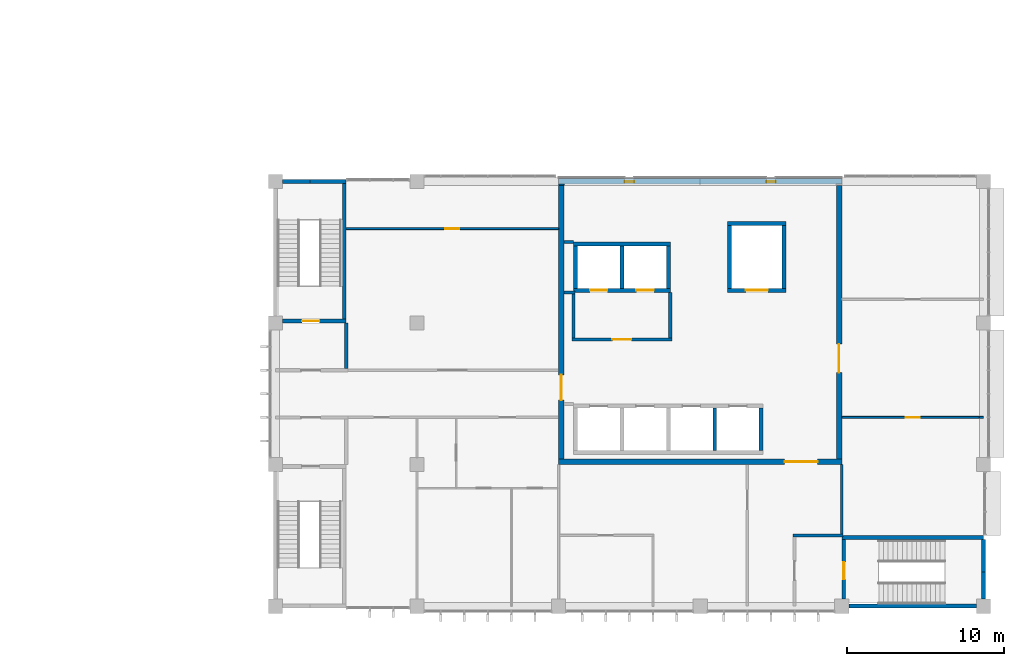
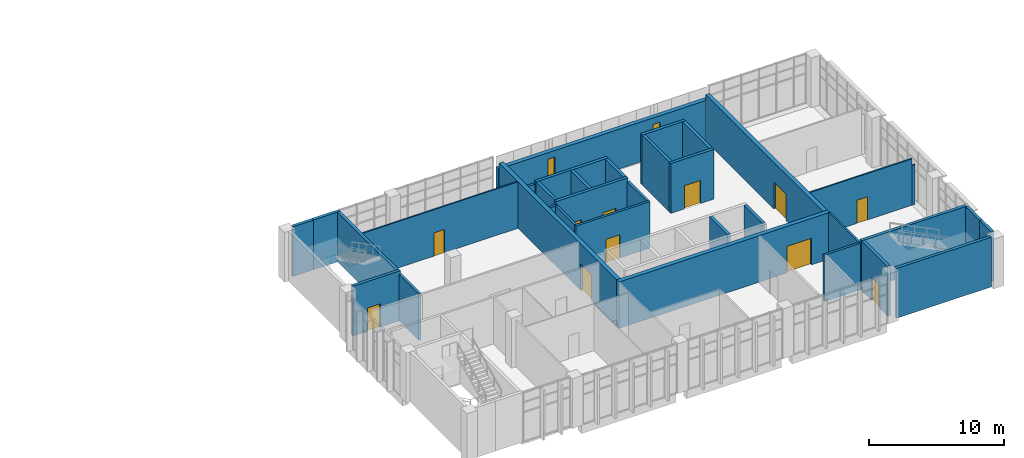
# One storey, part 32 of 45: 36 walls, 11 doors, 2 windows, 13 openings.
"""IFC4 building model written with IfcOpenShell, lengths in metres."""

from ifc_helpers import new_model, si_unit, direction, frame, frame_2d, origin, place, context, subcontext, project, spatial, rectangle, extrude, material, layer, layer_set, type_object, element, fill, save


model = new_model("IFC4")

# Units and contexts
model_context = context("Model", 3, precision=1e-05, world=origin(), true_north=direction((0.0, 1.0)))
body_context = subcontext(model_context, "Body", "Model", "MODEL_VIEW")
ifc_project = project(units=[si_unit("LENGTHUNIT", "METRE"), si_unit("AREAUNIT", "SQUARE_METRE"), si_unit("VOLUMEUNIT", "CUBIC_METRE"), si_unit("PLANEANGLEUNIT", "RADIAN"), si_unit("MASSUNIT", "GRAM", prefix="KILO")], contexts=[model_context])

# Site, building, storey
site_placement = place(None, origin())
site = spatial("IfcSite", under=ifc_project, at=site_placement, CompositionType="ELEMENT")
building_placement = place(site_placement, origin())
building = spatial("IfcBuilding", under=site, at=building_placement, Name="Guidao Yard Department Store", CompositionType="ELEMENT")
storey_placement = place(building_placement, frame((0.0, 0.0, 19.5)))
storey = spatial("IfcBuildingStorey", under=building, at=storey_placement, Name="L04", CompositionType="ELEMENT", Elevation=19.5)

# Wall
ifc_material_1 = material(Name="Gypsum Board")
ifc_layer_1 = layer(ifc_material_1, 0.14990234375)
ifc_layer_set_1 = layer_set([ifc_layer_1], Name="Corridor Partition 150 Gypsum Board EI 60")
wall_type_1 = type_object("IfcWallType", Name="Corridor Partition 150 Gypsum Board EI 60", PredefinedType="PARTITIONING", material=ifc_layer_set_1)
wall_1_placement = place(storey_placement, frame((162.0, 4.60009765625, 0.0), z_axis=(0.0, 0.0, 1.0), x_axis=(0.0, 1.0, 0.0)))
element("IfcWall", 1, at=wall_1_placement, inside=storey, type_object=wall_type_1, Name="pt.wall.L04.0030", PredefinedType="PARTITIONING", context=body_context, shape_type="SweptSolid", body=[
    extrude(rectangle(XDim=4.39990234375, YDim=0.14990234375, at=frame_2d((2.199951171875, 0.0))), origin(), (0.0, 0.0, 1.0), 4.199951171875),
])

# Wall, openings, windows
ifc_material_2 = material(Name="Concrete C40", Category="concrete")
ifc_layer_2 = layer(ifc_material_2, 0.35009765625)
ifc_layer_set_2 = layer_set([ifc_layer_2], Name="Office core face wall 350 C40")
wall_type_2 = type_object("IfcWallType", Name="Office core face wall 350 C40", PredefinedType="SOLIDWALL", material=ifc_layer_set_2)
wall_2_placement = place(storey_placement, frame((144.0, 27.0, 0.0), z_axis=(0.0, 0.0, 1.0), x_axis=(1.0, 0.0, 0.0)))
wall_2 = element("IfcWall", 2, at=wall_2_placement, inside=storey, type_object=wall_type_2, Name="Office north face wall", PredefinedType="SOLIDWALL", context=body_context, shape_type="SweptSolid", body=[
    extrude(rectangle(XDim=18.0, YDim=0.35009765625, at=frame_2d((9.0, 0.0))), origin(), (0.0, 0.0, 1.0), 3.60009765625),
])
opening_1_placement = place(wall_2_placement, frame((4.199951171875, 0.0, 0.60009765625)))
opening_1 = element("IfcOpeningElement", 3, at=opening_1_placement, cuts=wall_2, Name="Opening WN-L04-E27", PredefinedType="OPENING", context=body_context, shape_type="SweptSolid", body=[
    extrude(rectangle(XDim=0.60009765625, YDim=2.39990234375, at=frame_2d((0.300048828125, 1.199951171875))), frame((0.0, 0.18505859375, 0.0), z_axis=(0.0, -1.0, 0.0), x_axis=(1.0, 0.0, 0.0)), (0.0, 0.0, 1.0), 0.3701171875),
])
opening_2_placement = place(wall_2_placement, frame((13.199951171875, 0.0, 0.60009765625)))
opening_2 = element("IfcOpeningElement", 4, at=opening_2_placement, cuts=wall_2, Name="Opening WN-L04-E28", PredefinedType="OPENING", context=body_context, shape_type="SweptSolid", body=[
    extrude(rectangle(XDim=0.60009765625, YDim=2.39990234375, at=frame_2d((0.300048828125, 1.199951171875))), frame((0.0, 0.18505859375, 0.0), z_axis=(0.0, -1.0, 0.0), x_axis=(1.0, 0.0, 0.0)), (0.0, 0.0, 1.0), 0.3701171875),
])
ifc_material_3 = material(Name="Laminated glass in aluminium frame", Category="aluminium")
window_type = type_object("IfcWindowType", Name="Lobby window LW1 600 x 2400 fixed", PartitioningType="SINGLE_PANEL", PredefinedType="WINDOW", material=ifc_material_3)
window_1_placement = place(opening_1_placement, origin())
window_1 = element("IfcWindow", 5, at=window_1_placement, inside=storey, type_object=window_type, Name="Lift lobby window", OverallHeight=2.39990234375, OverallWidth=0.60009765625, PartitioningType="SINGLE_PANEL", PredefinedType="WINDOW", context=body_context, shape_type="SweptSolid", body=[
    extrude(rectangle(XDim=0.60009765625, YDim=2.39990234375, at=frame_2d((0.300048828125, 1.199951171875))), frame((0.0, -0.0048828125, 0.0), z_axis=(0.0, -1.0, 0.0), x_axis=(1.0, 0.0, 0.0)), (0.0, 0.0, 1.0), 0.06005859375),
])
fill(opening_1, window_1)
window_2_placement = place(opening_2_placement, origin())
window_2 = element("IfcWindow", 6, at=window_2_placement, inside=storey, type_object=window_type, Name="Lift lobby window", OverallHeight=2.39990234375, OverallWidth=0.60009765625, PartitioningType="SINGLE_PANEL", PredefinedType="WINDOW", context=body_context, shape_type="SweptSolid", body=[
    extrude(rectangle(XDim=0.60009765625, YDim=2.39990234375, at=frame_2d((0.300048828125, 1.199951171875))), frame((0.0, -0.0048828125, 0.0), z_axis=(0.0, -1.0, 0.0), x_axis=(1.0, 0.0, 0.0)), (0.0, 0.0, 1.0), 0.06005859375),
])
fill(opening_2, window_2)

# Wall, opening, door
ifc_material_4 = material(Name="Gypsum Board")
ifc_layer_3 = layer(ifc_material_4, 0.1201171875)
ifc_layer_set_3 = layer_set([ifc_layer_3], Name="Partition 120 Gypsum Board EI 45")
wall_type_3 = type_object("IfcWallType", Name="Partition 120 Gypsum Board EI 45", PredefinedType="PARTITIONING", material=ifc_layer_set_3)
wall_3_placement = place(storey_placement, frame((162.0, 12.0, 0.0), z_axis=(0.0, 0.0, 1.0), x_axis=(1.0, 0.0, 0.0)))
wall_3 = element("IfcWall", 7, at=wall_3_placement, inside=storey, type_object=wall_type_3, Name="pt.wall.L04.0007", PredefinedType="PARTITIONING", context=body_context, shape_type="SweptSolid", body=[
    extrude(rectangle(XDim=8.75, YDim=0.1201171875, at=frame_2d((4.375, 0.0))), origin(), (0.0, 0.0, 1.0), 4.199951171875),
])
opening_3_placement = place(wall_3_placement, frame((4.050048828125, 0.0, 0.0)))
opening_3 = element("IfcOpeningElement", 8, at=opening_3_placement, cuts=wall_3, Name="Opening L04-416", PredefinedType="OPENING", context=body_context, shape_type="SweptSolid", body=[
    extrude(rectangle(XDim=0.89990234375, YDim=2.10009765625, at=frame_2d((0.449951171875, 1.050048828125))), frame((0.0, 0.070068359375, 0.0), z_axis=(0.0, -1.0, 0.0), x_axis=(1.0, 0.0, 0.0)), (0.0, 0.0, 1.0), 0.14013671875),
])
ifc_material_5 = material(Name="Timber door leaf with Steel Q235 frame", Category="steel")
door_type_1 = type_object("IfcDoorType", Name="Door 900 x 2100 NOT RATED Single Leaf", OperationType="SINGLE_SWING_LEFT", PredefinedType="DOOR", material=ifc_material_5)
door_1_placement = place(opening_3_placement, origin())
door_1 = element("IfcDoor", 9, at=door_1_placement, inside=storey, type_object=door_type_1, Name="Door L04-416", OperationType="SINGLE_SWING_RIGHT", OverallHeight=2.10009765625, OverallWidth=0.89990234375, PredefinedType="DOOR", context=body_context, shape_type="SweptSolid", body=[
    extrude(rectangle(XDim=0.89990234375, YDim=2.10009765625, at=frame_2d((0.449951171875, 1.050048828125))), frame((0.0, 0.02490234375, 0.0), z_axis=(0.0, -1.0, 0.0), x_axis=(1.0, 0.0, 0.0)), (0.0, 0.0, 1.0), 0.050048828125),
])
fill(opening_3, door_1)

# Wall
wall_4_placement = place(storey_placement, frame((170.75, 12.0, 0.0), z_axis=(0.0, 0.0, 1.0), x_axis=(1.0, 0.0, 0.0)))
element("IfcWall", 10, at=wall_4_placement, inside=storey, type_object=wall_type_3, Name="pt.wall.L04.0007a", PredefinedType="PARTITIONING", context=body_context, shape_type="SweptSolid", body=[
    extrude(rectangle(XDim=0.25, YDim=0.1201171875, at=frame_2d((0.125, 0.0))), origin(), (0.0, 0.0, 1.0), 3.60009765625),
])

# Wall, opening, door
wall_5_placement = place(storey_placement, frame((130.5, 24.0, 0.0), z_axis=(0.0, 0.0, 1.0), x_axis=(1.0, 0.0, 0.0)))
wall_5 = element("IfcWall", 11, at=wall_5_placement, inside=storey, type_object=wall_type_3, Name="pt.wall.L04.0015", PredefinedType="PARTITIONING", context=body_context, shape_type="SweptSolid", body=[
    extrude(rectangle(XDim=13.5, YDim=0.1201171875, at=frame_2d((6.75, 0.0))), origin(), (0.0, 0.0, 1.0), 4.199951171875),
])
opening_4_placement = place(wall_5_placement, frame((6.300048828125, 0.0, 0.0)))
opening_4 = element("IfcOpeningElement", 12, at=opening_4_placement, cuts=wall_5, Name="Opening L04-413", PredefinedType="OPENING", context=body_context, shape_type="SweptSolid", body=[
    extrude(rectangle(XDim=0.89990234375, YDim=2.10009765625, at=frame_2d((0.449951171875, 1.050048828125))), frame((0.0, 0.070068359375, 0.0), z_axis=(0.0, -1.0, 0.0), x_axis=(1.0, 0.0, 0.0)), (0.0, 0.0, 1.0), 0.14013671875),
])
door_2_placement = place(opening_4_placement, origin())
door_2 = element("IfcDoor", 13, at=door_2_placement, inside=storey, type_object=door_type_1, Name="Door L04-413", OperationType="SINGLE_SWING_LEFT", OverallHeight=2.10009765625, OverallWidth=0.89990234375, PredefinedType="DOOR", context=body_context, shape_type="SweptSolid", body=[
    extrude(rectangle(XDim=0.89990234375, YDim=2.10009765625, at=frame_2d((0.449951171875, 1.050048828125))), frame((0.0, 0.02490234375, 0.0), z_axis=(0.0, -1.0, 0.0), x_axis=(1.0, 0.0, 0.0)), (0.0, 0.0, 1.0), 0.050048828125),
])
fill(opening_4, door_2)

# Wall
ifc_material_6 = material(Name="Autoclaved aerated concrete block A3.5 B06", Category="concrete")
ifc_layer_4 = layer(ifc_material_6, 0.199951171875)
ifc_layer_set_4 = layer_set([ifc_layer_4], Name="Shaft Wall 200 Autoclaved Block EI 120")
wall_type_4 = type_object("IfcWallType", Name="Shaft Wall 200 Autoclaved Block EI 120", PredefinedType="PARTITIONING", material=ifc_layer_set_4)
wall_6_placement = place(storey_placement, frame((158.89990234375, 4.5, 0.0), z_axis=(0.0, 0.0, 1.0), x_axis=(1.0, 0.0, 0.0)))
element("IfcWall", 14, at=wall_6_placement, inside=storey, type_object=wall_type_4, Name="pt.wall.L04.0002", PredefinedType="PARTITIONING", context=body_context, shape_type="SweptSolid", body=[
    extrude(rectangle(XDim=3.175048828125, YDim=0.199951171875, at=frame_2d((1.58740234375, 0.0))), origin(), (0.0, 0.0, 1.0), 4.199951171875),
])

# Wall, opening, door
wall_7_placement = place(storey_placement, frame((144.85009765625, 16.949951171875, 0.0), z_axis=(0.0, 0.0, 1.0), x_axis=(1.0, 0.0, 0.0)))
wall_7 = element("IfcWall", 15, at=wall_7_placement, inside=storey, type_object=wall_type_4, Name="pt.wall.L04.0011", PredefinedType="PARTITIONING", context=body_context, shape_type="SweptSolid", body=[
    extrude(rectangle(XDim=6.349853515625, YDim=0.199951171875, at=frame_2d((3.1748046875, 0.0))), origin(), (0.0, 0.0, 1.0), 4.199951171875),
])
opening_5_placement = place(wall_7_placement, frame((2.574951171875, 0.0, 0.0)))
opening_5 = element("IfcOpeningElement", 16, at=opening_5_placement, cuts=wall_7, Name="Opening L04-400", PredefinedType="OPENING", context=body_context, shape_type="SweptSolid", body=[
    extrude(rectangle(XDim=1.199951171875, YDim=2.10009765625, at=frame_2d((0.60009765625, 1.050048828125))), frame((0.0, 0.10986328125, 0.0), z_axis=(0.0, -1.0, 0.0), x_axis=(1.0, 0.0, 0.0)), (0.0, 0.0, 1.0), 0.219970703125),
])
ifc_material_7 = material(Name="Timber door leaf with Steel Q235 frame", Category="steel")
door_type_2 = type_object("IfcDoorType", Name="Door 1200 x 2100 FD60 Single Leaf", OperationType="SINGLE_SWING_LEFT", PredefinedType="DOOR", material=ifc_material_7)
door_3_placement = place(opening_5_placement, origin())
door_3 = element("IfcDoor", 17, at=door_3_placement, inside=storey, type_object=door_type_2, Name="Door L04-400", OperationType="SINGLE_SWING_RIGHT", OverallHeight=2.10009765625, OverallWidth=1.199951171875, PredefinedType="DOOR", context=body_context, shape_type="SweptSolid", body=[
    extrude(rectangle(XDim=1.199951171875, YDim=2.10009765625, at=frame_2d((0.60009765625, 1.050048828125))), frame((0.0, 0.02490234375, 0.0), z_axis=(0.0, -1.0, 0.0), x_axis=(1.0, 0.0, 0.0)), (0.0, 0.0, 1.0), 0.050048828125),
])
fill(opening_5, door_3)

# Walls
wall_8_placement = place(storey_placement, frame((144.35009765625, 19.949951171875, 0.0), z_axis=(0.0, 0.0, 1.0), x_axis=(1.0, 0.0, 0.0)))
element("IfcWall", 18, at=wall_8_placement, inside=storey, type_object=wall_type_4, Name="pt.wall.L04.0013", PredefinedType="PARTITIONING", context=body_context, shape_type="SweptSolid", body=[
    extrude(rectangle(XDim=0.699951171875, YDim=0.199951171875, at=frame_2d((0.35009765625, 0.0))), origin(), (0.0, 0.0, 1.0), 4.199951171875),
])
wall_9_placement = place(storey_placement, frame((144.35009765625, 23.14990234375, 0.0), z_axis=(0.0, 0.0, 1.0), x_axis=(1.0, 0.0, 0.0)))
element("IfcWall", 19, at=wall_9_placement, inside=storey, type_object=wall_type_4, Name="pt.wall.L04.0014", PredefinedType="PARTITIONING", context=body_context, shape_type="SweptSolid", body=[
    extrude(rectangle(XDim=0.599853515625, YDim=0.199951171875, at=frame_2d((0.2998046875, 0.0))), origin(), (0.0, 0.0, 1.0), 4.199951171875),
])
wall_10_placement = place(storey_placement, frame((130.5, 15.10009765625, 0.0), z_axis=(0.0, 0.0, 1.0), x_axis=(0.0, 1.0, 0.0)))
element("IfcWall", 20, at=wall_10_placement, inside=storey, type_object=wall_type_4, Name="pt.wall.L04.0017", PredefinedType="PARTITIONING", context=body_context, shape_type="SweptSolid", body=[
    extrude(rectangle(XDim=2.89990234375, YDim=0.199951171875, at=frame_2d((1.449951171875, 0.0))), origin(), (0.0, 0.0, 1.0), 4.199951171875),
])
wall_11_placement = place(storey_placement, frame((144.949951171875, 17.050048828125, 0.0), z_axis=(0.0, 0.0, 1.0), x_axis=(0.0, 1.0, 0.0)))
element("IfcWall", 21, at=wall_11_placement, inside=storey, type_object=wall_type_4, Name="pt.wall.L04.0024", PredefinedType="PARTITIONING", context=body_context, shape_type="SweptSolid", body=[
    extrude(rectangle(XDim=2.800048828125, YDim=0.199951171875, at=frame_2d((1.39990234375, 0.0))), origin(), (0.0, 0.0, 1.0), 4.199951171875),
])
wall_12_placement = place(storey_placement, frame((151.10009765625, 17.050048828125, 0.0), z_axis=(0.0, 0.0, 1.0), x_axis=(0.0, 1.0, 0.0)))
element("IfcWall", 22, at=wall_12_placement, inside=storey, type_object=wall_type_4, Name="pt.wall.L04.0026", PredefinedType="PARTITIONING", context=body_context, shape_type="SweptSolid", body=[
    extrude(rectangle(XDim=2.89990234375, YDim=0.199951171875, at=frame_2d((1.449951171875, 0.0))), origin(), (0.0, 0.0, 1.0), 4.199951171875),
])

# Wall, opening, door
ifc_material_8 = material(Name="Concrete C50", Category="concrete")
ifc_layer_5 = layer(ifc_material_8, 0.35009765625)
ifc_layer_set_5 = layer_set([ifc_layer_5], Name="Shear Wall 350 Concrete C50")
wall_type_5 = type_object("IfcWallType", Name="Shear Wall 350 Concrete C50", PredefinedType="SHEAR", material=ifc_layer_set_5)
wall_13_placement = place(storey_placement, frame((144.0, 9.175048828125, 0.0), z_axis=(0.0, 0.0, 1.0), x_axis=(1.0, 0.0, 0.0)))
wall_13 = element("IfcWall", 23, at=wall_13_placement, inside=storey, type_object=wall_type_5, Name="pt.wall.L04.0004", PredefinedType="SHEAR", context=body_context, shape_type="SweptSolid", body=[
    extrude(rectangle(XDim=18.0, YDim=0.35009765625, at=frame_2d((9.0, 0.0))), origin(), (0.0, 0.0, 1.0), 4.199951171875),
])
opening_6_placement = place(wall_13_placement, frame((16.462646484375, 0.0, 0.0), z_axis=(0.0, 0.0, 1.0), x_axis=(-1.0, 0.0, 0.0)))
opening_6 = element("IfcOpeningElement", 24, at=opening_6_placement, cuts=wall_13, Name="Opening L04-406", PredefinedType="OPENING", context=body_context, shape_type="SweptSolid", body=[
    extrude(rectangle(XDim=2.10009765625, YDim=2.39990234375, at=frame_2d((1.050048828125, 1.199951171875))), frame((0.0, 0.18505859375, 0.0), z_axis=(0.0, -1.0, 0.0), x_axis=(1.0, 0.0, 0.0)), (0.0, 0.0, 1.0), 0.3701171875),
])
ifc_material_9 = material(Name="Timber door leaf with Steel Q235 frame", Category="steel")
door_type_3 = type_object("IfcDoorType", Name="Door 2100 x 2400 FD60 Double Leaf", OperationType="DOUBLE_DOOR_SINGLE_SWING", PredefinedType="DOOR", material=ifc_material_9)
door_4_placement = place(opening_6_placement, origin())
door_4 = element("IfcDoor", 25, at=door_4_placement, inside=storey, type_object=door_type_3, Name="Door L04-406", OperationType="DOUBLE_DOOR_SINGLE_SWING", OverallHeight=2.39990234375, OverallWidth=2.10009765625, PredefinedType="DOOR", context=body_context, shape_type="SweptSolid", body=[
    extrude(rectangle(XDim=2.10009765625, YDim=2.39990234375, at=frame_2d((1.050048828125, 1.199951171875))), frame((0.0, 0.02490234375, 0.0), z_axis=(0.0, -1.0, 0.0), x_axis=(1.0, 0.0, 0.0)), (0.0, 0.0, 1.0), 0.050048828125),
])
fill(opening_6, door_4)

wall_14_placement = place(storey_placement, frame((144.175048828125, 9.35009765625, 0.0), z_axis=(0.0, 0.0, 1.0), x_axis=(0.0, 1.0, 0.0)))
wall_14 = element("IfcWall", 26, at=wall_14_placement, inside=storey, type_object=wall_type_5, Name="pt.wall.L04.0023", PredefinedType="SHEAR", context=body_context, shape_type="SweptSolid", body=[
    extrude(rectangle(XDim=17.39990234375, YDim=0.35009765625, at=frame_2d((8.699951171875, 0.0))), origin(), (0.0, 0.0, 1.0), 4.199951171875),
])
opening_7_placement = place(wall_14_placement, frame((3.75, 0.0, 0.0)))
opening_7 = element("IfcOpeningElement", 27, at=opening_7_placement, cuts=wall_14, Name="Opening L04-404", PredefinedType="OPENING", context=body_context, shape_type="SweptSolid", body=[
    extrude(rectangle(XDim=1.60009765625, YDim=2.39990234375, at=frame_2d((0.800048828125, 1.199951171875))), frame((0.0, 0.18505859375, 0.0), z_axis=(0.0, -1.0, 0.0), x_axis=(1.0, 0.0, 0.0)), (0.0, 0.0, 1.0), 0.3701171875),
])
ifc_material_10 = material(Name="Timber door leaf with Steel Q235 frame", Category="steel")
door_type_4 = type_object("IfcDoorType", Name="Door 1600 x 2400 FD60 Double Leaf", OperationType="DOUBLE_DOOR_SINGLE_SWING", PredefinedType="DOOR", material=ifc_material_10)
door_5_placement = place(opening_7_placement, origin())
door_5 = element("IfcDoor", 28, at=door_5_placement, inside=storey, type_object=door_type_4, Name="Door L04-404", OperationType="DOUBLE_DOOR_SINGLE_SWING", OverallHeight=2.39990234375, OverallWidth=1.60009765625, PredefinedType="DOOR", context=body_context, shape_type="SweptSolid", body=[
    extrude(rectangle(XDim=1.60009765625, YDim=2.39990234375, at=frame_2d((0.800048828125, 1.199951171875))), frame((0.0, 0.02490234375, 0.0), z_axis=(0.0, -1.0, 0.0), x_axis=(1.0, 0.0, 0.0)), (0.0, 0.0, 1.0), 0.050048828125),
])
fill(opening_7, door_5)

# Wall
wall_15_placement = place(storey_placement, frame((144.175048828125, 26.75, 0.0), z_axis=(0.0, 0.0, 1.0), x_axis=(0.0, 1.0, 0.0)))
element("IfcWall", 29, at=wall_15_placement, inside=storey, type_object=wall_type_5, Name="pt.wall.L04.0023a", PredefinedType="SHEAR", context=body_context, shape_type="SweptSolid", body=[
    extrude(rectangle(XDim=0.074951171875, YDim=0.35009765625, at=frame_2d((0.03759765625, 0.0))), origin(), (0.0, 0.0, 1.0), 3.60009765625),
])

# Wall, opening, door
wall_16_placement = place(storey_placement, frame((161.824951171875, 9.35009765625, 0.0), z_axis=(0.0, 0.0, 1.0), x_axis=(0.0, 1.0, 0.0)))
wall_16 = element("IfcWall", 30, at=wall_16_placement, inside=storey, type_object=wall_type_5, Name="pt.wall.L04.0029", PredefinedType="SHEAR", context=body_context, shape_type="SweptSolid", body=[
    extrude(rectangle(XDim=17.39990234375, YDim=0.35009765625, at=frame_2d((8.699951171875, 0.0))), origin(), (0.0, 0.0, 1.0), 4.199951171875),
])
opening_8_placement = place(wall_16_placement, frame((7.300048828125, 0.0, 0.0), z_axis=(0.0, 0.0, 1.0), x_axis=(-1.0, 0.0, 0.0)))
opening_8 = element("IfcOpeningElement", 31, at=opening_8_placement, cuts=wall_16, Name="Opening L04-405", PredefinedType="OPENING", context=body_context, shape_type="SweptSolid", body=[
    extrude(rectangle(XDim=1.800048828125, YDim=2.39990234375, at=frame_2d((0.89990234375, 1.199951171875))), frame((0.0, 0.18505859375, 0.0), z_axis=(0.0, -1.0, 0.0), x_axis=(1.0, 0.0, 0.0)), (0.0, 0.0, 1.0), 0.3701171875),
])
ifc_material_11 = material(Name="Timber door leaf with Steel Q235 frame", Category="steel")
door_type_5 = type_object("IfcDoorType", Name="Door 1800 x 2400 FD60 Double Leaf", OperationType="DOUBLE_DOOR_SINGLE_SWING", PredefinedType="DOOR", material=ifc_material_11)
door_6_placement = place(opening_8_placement, origin())
door_6 = element("IfcDoor", 32, at=door_6_placement, inside=storey, type_object=door_type_5, Name="Door L04-405", OperationType="DOUBLE_DOOR_SINGLE_SWING", OverallHeight=2.39990234375, OverallWidth=1.800048828125, PredefinedType="DOOR", context=body_context, shape_type="SweptSolid", body=[
    extrude(rectangle(XDim=1.800048828125, YDim=2.39990234375, at=frame_2d((0.89990234375, 1.199951171875))), frame((0.0, 0.02490234375, 0.0), z_axis=(0.0, -1.0, 0.0), x_axis=(1.0, 0.0, 0.0)), (0.0, 0.0, 1.0), 0.050048828125),
])
fill(opening_8, door_6)

# Walls
ifc_material_12 = material(Name="Concrete C40", Category="concrete")
ifc_layer_6 = layer(ifc_material_12, 0.25)
ifc_layer_set_6 = layer_set([ifc_layer_6], Name="Wall RC 250 C40 stair and shaft")
wall_type_6 = type_object("IfcWallType", Name="Wall RC 250 C40 stair and shaft", PredefinedType="SHEAR", material=ifc_layer_set_6)
wall_17_placement = place(storey_placement, frame((162.449951171875, 0.0, 0.0), z_axis=(0.0, 0.0, 1.0), x_axis=(1.0, 0.0, 0.0)))
element("IfcWall", 33, at=wall_17_placement, inside=storey, type_object=wall_type_6, Name="Stair wall SO2", PredefinedType="SHEAR", context=body_context, shape_type="SweptSolid", body=[
    extrude(rectangle(XDim=8.10009765625, YDim=0.25, at=frame_2d((4.050048828125, 0.0))), origin(), (0.0, 0.0, 1.0), 4.5),
])
wall_18_placement = place(storey_placement, frame((162.0, 4.375, 0.0), z_axis=(0.0, 0.0, 1.0), x_axis=(1.0, 0.0, 0.0)))
element("IfcWall", 34, at=wall_18_placement, inside=storey, type_object=wall_type_6, Name="Stair wall SO2", PredefinedType="SHEAR", context=body_context, shape_type="SweptSolid", body=[
    extrude(rectangle(XDim=9.0, YDim=0.25, at=frame_2d((4.5, 0.0))), origin(), (0.0, 0.0, 1.0), 4.5),
])

# Wall, opening, door
wall_19_placement = place(storey_placement, frame((162.125, 0.449951171875, 0.0), z_axis=(0.0, 0.0, 1.0), x_axis=(0.0, 1.0, 0.0)))
wall_19 = element("IfcWall", 35, at=wall_19_placement, inside=storey, type_object=wall_type_6, Name="Stair wall SO2", PredefinedType="SHEAR", context=body_context, shape_type="SweptSolid", body=[
    extrude(rectangle(XDim=3.800048828125, YDim=0.25, at=frame_2d((1.89990234375, 0.0))), origin(), (0.0, 0.0, 1.0), 4.5),
])
opening_9_placement = place(wall_19_placement, frame((2.35009765625, 0.0, 0.0), z_axis=(0.0, 0.0, 1.0), x_axis=(-1.0, 0.0, 0.0)))
opening_9 = element("IfcOpeningElement", 36, at=opening_9_placement, cuts=wall_19, Name="Opening L04-809", PredefinedType="OPENING", context=body_context, shape_type="SweptSolid", body=[
    extrude(rectangle(XDim=1.10009765625, YDim=2.10009765625, at=frame_2d((0.550048828125, 1.050048828125))), frame((0.0, 0.135009765625, 0.0), z_axis=(0.0, -1.0, 0.0), x_axis=(1.0, 0.0, 0.0)), (0.0, 0.0, 1.0), 0.27001953125),
])
ifc_material_13 = material(Name="Steel Q235", Category="steel")
door_type_6 = type_object("IfcDoorType", Name="Door fire-resisting 1100 x 2100 FD60", OperationType="SINGLE_SWING_LEFT", PredefinedType="DOOR", material=ifc_material_13)
door_7_placement = place(opening_9_placement, origin())
door_7 = element("IfcDoor", 37, at=door_7_placement, inside=storey, type_object=door_type_6, Name="Stair O2 door L04", OperationType="SINGLE_SWING_RIGHT", OverallHeight=2.10009765625, OverallWidth=1.10009765625, PredefinedType="DOOR", context=body_context, shape_type="SweptSolid", body=[
    extrude(rectangle(XDim=1.10009765625, YDim=2.10009765625, at=frame_2d((0.550048828125, 1.050048828125))), frame((0.0, 0.02490234375, 0.0), z_axis=(0.0, -1.0, 0.0), x_axis=(1.0, 0.0, 0.0)), (0.0, 0.0, 1.0), 0.050048828125),
])
fill(opening_9, door_7)

# Walls
wall_20_placement = place(storey_placement, frame((171.0, 0.449951171875, 0.0), z_axis=(0.0, 0.0, 1.0), x_axis=(0.0, 1.0, 0.0)))
element("IfcWall", 38, at=wall_20_placement, inside=storey, type_object=wall_type_6, Name="Stair wall SO2", PredefinedType="SHEAR", context=body_context, shape_type="SweptSolid", body=[
    extrude(rectangle(XDim=1.738037109375, YDim=0.25, at=frame_2d((0.869140625, 0.0))), origin(), (0.0, 0.0, 1.0), 4.5),
])
wall_21_placement = place(storey_placement, frame((171.0, 2.18798828125, 0.0), z_axis=(0.0, 0.0, 1.0), x_axis=(0.0, 1.0, 0.0)))
element("IfcWall", 39, at=wall_21_placement, inside=storey, type_object=wall_type_6, Name="Stair wall SO2", PredefinedType="SHEAR", context=body_context, shape_type="SweptSolid", body=[
    extrude(rectangle(XDim=2.06201171875, YDim=0.25, at=frame_2d((1.031005859375, 0.0))), origin(), (0.0, 0.0, 1.0), 4.5),
])

# Wall, opening, door
wall_22_placement = place(storey_placement, frame((126.449951171875, 18.125, 0.0), z_axis=(0.0, 0.0, 1.0), x_axis=(1.0, 0.0, 0.0)))
wall_22 = element("IfcWall", 40, at=wall_22_placement, inside=storey, type_object=wall_type_6, Name="Stair wall SO3", PredefinedType="SHEAR", context=body_context, shape_type="SweptSolid", body=[
    extrude(rectangle(XDim=4.050048828125, YDim=0.25, at=frame_2d((2.02490234375, 0.0))), origin(), (0.0, 0.0, 1.0), 4.5),
])
opening_10_placement = place(wall_22_placement, frame((1.25, 0.0, 0.0)))
opening_10 = element("IfcOpeningElement", 41, at=opening_10_placement, cuts=wall_22, Name="Opening L04-810", PredefinedType="OPENING", context=body_context, shape_type="SweptSolid", body=[
    extrude(rectangle(XDim=1.10009765625, YDim=2.10009765625, at=frame_2d((0.550048828125, 1.050048828125))), frame((0.0, 0.135009765625, 0.0), z_axis=(0.0, -1.0, 0.0), x_axis=(1.0, 0.0, 0.0)), (0.0, 0.0, 1.0), 0.27001953125),
])
door_8_placement = place(opening_10_placement, origin())
door_8 = element("IfcDoor", 42, at=door_8_placement, inside=storey, type_object=door_type_6, Name="Stair O3 door L04", OperationType="SINGLE_SWING_LEFT", OverallHeight=2.10009765625, OverallWidth=1.10009765625, PredefinedType="DOOR", context=body_context, shape_type="SweptSolid", body=[
    extrude(rectangle(XDim=1.10009765625, YDim=2.10009765625, at=frame_2d((0.550048828125, 1.050048828125))), frame((0.0, 0.02490234375, 0.0), z_axis=(0.0, -1.0, 0.0), x_axis=(1.0, 0.0, 0.0)), (0.0, 0.0, 1.0), 0.050048828125),
])
fill(opening_10, door_8)

# Walls
wall_23_placement = place(storey_placement, frame((126.449951171875, 27.0, 0.0), z_axis=(0.0, 0.0, 1.0), x_axis=(1.0, 0.0, 0.0)))
element("IfcWall", 43, at=wall_23_placement, inside=storey, type_object=wall_type_6, Name="Stair wall SO3", PredefinedType="SHEAR", context=body_context, shape_type="SweptSolid", body=[
    extrude(rectangle(XDim=1.738037109375, YDim=0.25, at=frame_2d((0.869140625, 0.0))), origin(), (0.0, 0.0, 1.0), 4.5),
])
wall_24_placement = place(storey_placement, frame((128.18798828125, 27.0, 0.0), z_axis=(0.0, 0.0, 1.0), x_axis=(1.0, 0.0, 0.0)))
element("IfcWall", 44, at=wall_24_placement, inside=storey, type_object=wall_type_6, Name="Stair wall SO3", PredefinedType="SHEAR", context=body_context, shape_type="SweptSolid", body=[
    extrude(rectangle(XDim=2.31201171875, YDim=0.25, at=frame_2d((1.156005859375, 0.0))), origin(), (0.0, 0.0, 1.0), 4.5),
])
wall_25_placement = place(storey_placement, frame((130.375, 18.25, 0.0), z_axis=(0.0, 0.0, 1.0), x_axis=(0.0, 1.0, 0.0)))
element("IfcWall", 45, at=wall_25_placement, inside=storey, type_object=wall_type_6, Name="Stair wall SO3", PredefinedType="SHEAR", context=body_context, shape_type="SweptSolid", body=[
    extrude(rectangle(XDim=8.625, YDim=0.25, at=frame_2d((4.3125, 0.0))), origin(), (0.0, 0.0, 1.0), 4.5),
])
for number, where, z_axis, x_axis, name in (
    (46, (153.925048828125, 9.89990234375, 0.0), (0.0, 0.0, 1.0), (0.0, 1.0, 0.0), "Lift shaft wall OL1 to OL4"),
    (47, (156.875, 9.89990234375, 0.0), (0.0, 0.0, 1.0), (0.0, 1.0, 0.0), "Lift shaft wall OL1 to OL4"),
):
    element("IfcWall", number, at=place(storey_placement, frame(where, z_axis=z_axis, x_axis=x_axis)), inside=storey, type_object=wall_type_6, Name=name, PredefinedType="SHEAR", context=body_context, shape_type="SweptSolid", body=[
        extrude(rectangle(XDim=2.7001953125, YDim=0.25, at=frame_2d((1.35009765625, 0.0))), origin(), (0.0, 0.0, 1.0), 4.5),
    ])

# Wall, openings, doors
wall_26_placement = place(storey_placement, frame((144.949951171875, 20.074951171875, 0.0), z_axis=(0.0, 0.0, 1.0), x_axis=(1.0, 0.0, 0.0)))
wall_26 = element("IfcWall", 48, at=wall_26_placement, inside=storey, type_object=wall_type_6, Name="Lift shaft wall OF1 to OF2", PredefinedType="SHEAR", context=body_context, shape_type="SweptSolid", body=[
    extrude(rectangle(XDim=6.150146484375, YDim=0.25, at=frame_2d((3.0751953125, 0.0))), origin(), (0.0, 0.0, 1.0), 4.5),
])
opening_11_placement = place(wall_26_placement, frame((1.050048828125, 0.0, 0.0)))
opening_11 = element("IfcOpeningElement", 49, at=opening_11_placement, cuts=wall_26, Name="Opening LD-OF1-L04", PredefinedType="OPENING", context=body_context, shape_type="SweptSolid", body=[
    extrude(rectangle(XDim=1.10009765625, YDim=2.10009765625, at=frame_2d((0.550048828125, 1.050048828125))), frame((0.0, 0.135009765625, 0.0), z_axis=(0.0, -1.0, 0.0), x_axis=(1.0, 0.0, 0.0)), (0.0, 0.0, 1.0), 0.27001953125),
])
opening_12_placement = place(wall_26_placement, frame((4.0, 0.0, 0.0)))
opening_12 = element("IfcOpeningElement", 50, at=opening_12_placement, cuts=wall_26, Name="Opening LD-OF2-L04", PredefinedType="OPENING", context=body_context, shape_type="SweptSolid", body=[
    extrude(rectangle(XDim=1.10009765625, YDim=2.10009765625, at=frame_2d((0.550048828125, 1.050048828125))), frame((0.0, 0.135009765625, 0.0), z_axis=(0.0, -1.0, 0.0), x_axis=(1.0, 0.0, 0.0)), (0.0, 0.0, 1.0), 0.27001953125),
])
ifc_material_14 = material(Name="Stainless steel 06Cr19Ni10", Category="steel")
door_type_7 = type_object("IfcDoorType", Name="Lift landing door fire-resisting sliding 1100 x 2100", OperationType="DOUBLE_DOOR_SLIDING", PredefinedType="DOOR", material=ifc_material_14)
door_9_placement = place(opening_11_placement, origin())
door_9 = element("IfcDoor", 51, at=door_9_placement, inside=storey, type_object=door_type_7, Name="Lift landing door OF1 L04", OperationType="DOUBLE_DOOR_SLIDING", OverallHeight=2.10009765625, OverallWidth=1.10009765625, PredefinedType="DOOR", context=body_context, shape_type="SweptSolid", body=[
    extrude(rectangle(XDim=1.10009765625, YDim=2.10009765625, at=frame_2d((0.550048828125, 1.050048828125))), frame((0.0, 0.02490234375, 0.0), z_axis=(0.0, -1.0, 0.0), x_axis=(1.0, 0.0, 0.0)), (0.0, 0.0, 1.0), 0.050048828125),
])
fill(opening_11, door_9)
door_10_placement = place(opening_12_placement, origin())
door_10 = element("IfcDoor", 52, at=door_10_placement, inside=storey, type_object=door_type_7, Name="Lift landing door OF2 L04", OperationType="DOUBLE_DOOR_SLIDING", OverallHeight=2.10009765625, OverallWidth=1.10009765625, PredefinedType="DOOR", context=body_context, shape_type="SweptSolid", body=[
    extrude(rectangle(XDim=1.10009765625, YDim=2.10009765625, at=frame_2d((0.550048828125, 1.050048828125))), frame((0.0, 0.02490234375, 0.0), z_axis=(0.0, -1.0, 0.0), x_axis=(1.0, 0.0, 0.0)), (0.0, 0.0, 1.0), 0.050048828125),
])
fill(opening_12, door_10)

# Walls
wall_27_placement = place(storey_placement, frame((144.949951171875, 23.02490234375, 0.0), z_axis=(0.0, 0.0, 1.0), x_axis=(1.0, 0.0, 0.0)))
element("IfcWall", 53, at=wall_27_placement, inside=storey, type_object=wall_type_6, Name="Lift shaft wall OF1 to OF2", PredefinedType="SHEAR", context=body_context, shape_type="SweptSolid", body=[
    extrude(rectangle(XDim=6.150146484375, YDim=0.25, at=frame_2d((3.0751953125, 0.0))), origin(), (0.0, 0.0, 1.0), 4.5),
])
for number, where, z_axis, x_axis, name in (
    (54, (145.074951171875, 20.199951171875, 0.0), (0.0, 0.0, 1.0), (0.0, 1.0, 0.0), "Lift shaft wall OF1 to OF2"),
    (55, (148.02490234375, 20.199951171875, 0.0), (0.0, 0.0, 1.0), (0.0, 1.0, 0.0), "Lift shaft wall OF1 to OF2"),
    (56, (150.97509765625, 20.199951171875, 0.0), (0.0, 0.0, 1.0), (0.0, 1.0, 0.0), "Lift shaft wall OF1 to OF2"),
):
    element("IfcWall", number, at=place(storey_placement, frame(where, z_axis=z_axis, x_axis=x_axis)), inside=storey, type_object=wall_type_6, Name=name, PredefinedType="SHEAR", context=body_context, shape_type="SweptSolid", body=[
        extrude(rectangle(XDim=2.699951171875, YDim=0.25, at=frame_2d((1.35009765625, 0.0))), origin(), (0.0, 0.0, 1.0), 4.5),
    ])

# Wall, opening, door
wall_28_placement = place(storey_placement, frame((154.75, 20.074951171875, 0.0), z_axis=(0.0, 0.0, 1.0), x_axis=(1.0, 0.0, 0.0)))
wall_28 = element("IfcWall", 57, at=wall_28_placement, inside=storey, type_object=wall_type_6, Name="Lift shaft wall OS1", PredefinedType="SHEAR", context=body_context, shape_type="SweptSolid", body=[
    extrude(rectangle(XDim=3.699951171875, YDim=0.25, at=frame_2d((1.85009765625, 0.0))), origin(), (0.0, 0.0, 1.0), 4.5),
])
opening_13_placement = place(wall_28_placement, frame((1.14990234375, 0.0, 0.0)))
opening_13 = element("IfcOpeningElement", 58, at=opening_13_placement, cuts=wall_28, Name="Opening LD-OS1-L04", PredefinedType="OPENING", context=body_context, shape_type="SweptSolid", body=[
    extrude(rectangle(XDim=1.39990234375, YDim=2.10009765625, at=frame_2d((0.699951171875, 1.050048828125))), frame((0.0, 0.135009765625, 0.0), z_axis=(0.0, -1.0, 0.0), x_axis=(1.0, 0.0, 0.0)), (0.0, 0.0, 1.0), 0.27001953125),
])
ifc_material_15 = material(Name="Stainless steel 06Cr19Ni10", Category="steel")
door_type_8 = type_object("IfcDoorType", Name="Lift landing door fire-resisting sliding 1400 x 2100", OperationType="DOUBLE_DOOR_SLIDING", PredefinedType="DOOR", material=ifc_material_15)
door_11_placement = place(opening_13_placement, origin())
door_11 = element("IfcDoor", 59, at=door_11_placement, inside=storey, type_object=door_type_8, Name="Lift landing door OS1 L04", OperationType="DOUBLE_DOOR_SLIDING", OverallHeight=2.10009765625, OverallWidth=1.39990234375, PredefinedType="DOOR", context=body_context, shape_type="SweptSolid", body=[
    extrude(rectangle(XDim=1.39990234375, YDim=2.10009765625, at=frame_2d((0.699951171875, 1.050048828125))), frame((0.0, 0.02490234375, 0.0), z_axis=(0.0, -1.0, 0.0), x_axis=(1.0, 0.0, 0.0)), (0.0, 0.0, 1.0), 0.050048828125),
])
fill(opening_13, door_11)

# Walls
wall_29_placement = place(storey_placement, frame((154.75, 24.324951171875, 0.0), z_axis=(0.0, 0.0, 1.0), x_axis=(1.0, 0.0, 0.0)))
element("IfcWall", 60, at=wall_29_placement, inside=storey, type_object=wall_type_6, Name="Lift shaft wall OS1", PredefinedType="SHEAR", context=body_context, shape_type="SweptSolid", body=[
    extrude(rectangle(XDim=3.699951171875, YDim=0.25, at=frame_2d((1.85009765625, 0.0))), origin(), (0.0, 0.0, 1.0), 4.5),
])
for number, where, z_axis, x_axis, name in (
    (61, (154.875, 20.199951171875, 0.0), (0.0, 0.0, 1.0), (0.0, 1.0, 0.0), "Lift shaft wall OS1"),
    (62, (158.324951171875, 20.199951171875, 0.0), (0.0, 0.0, 1.0), (0.0, 1.0, 0.0), "Lift shaft wall OS1"),
):
    element("IfcWall", number, at=place(storey_placement, frame(where, z_axis=z_axis, x_axis=x_axis)), inside=storey, type_object=wall_type_6, Name=name, PredefinedType="SHEAR", context=body_context, shape_type="SweptSolid", body=[
        extrude(rectangle(XDim=4.0, YDim=0.25, at=frame_2d((2.0, 0.0))), origin(), (0.0, 0.0, 1.0), 4.5),
    ])

save(model, "model.ifc")
